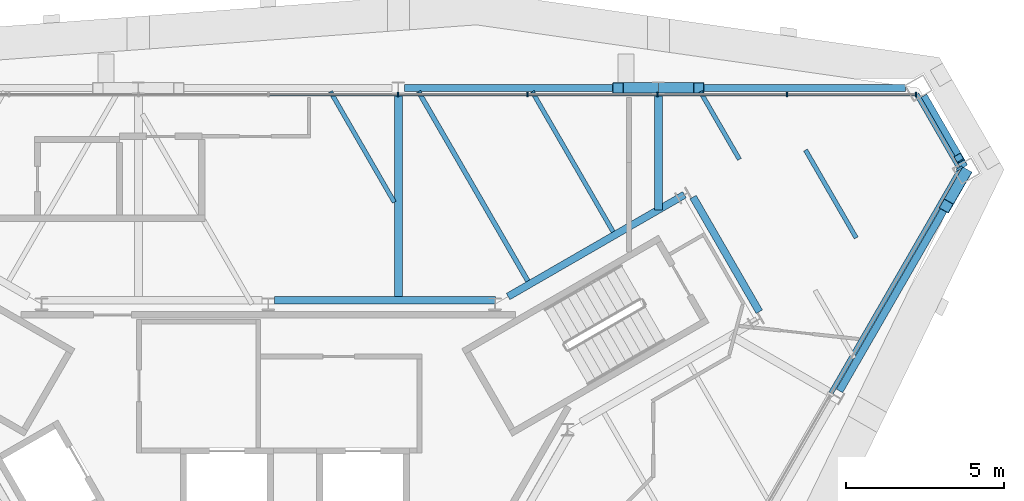
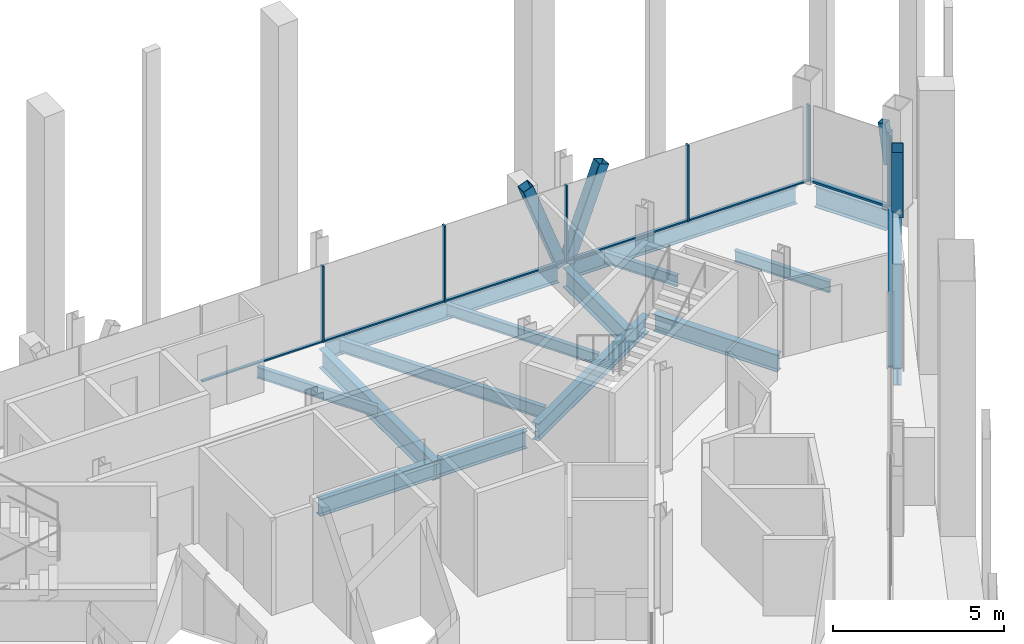
# One storey, part 6 of 12: 17 members, 14 beams, 3 elements without a shape of their own.
"""IFC4 building model written with IfcOpenShell, lengths in metres."""

from ifc_helpers import new_model, si_unit, direction, frame, origin, origin_2d, place, context, subcontext, project, spatial, rectangle, hollow_rectangle, i_section, extrude, material, material_profile, profile_set, type_object, element, aggregate, save


model = new_model("IFC4")

# Units and contexts
model_context = context("Model", 3, precision=1e-05, world=origin(), true_north=direction((0.0, 1.0)))
body_context = subcontext(model_context, "Body", "Model", "MODEL_VIEW")
ifc_project = project(units=[si_unit("LENGTHUNIT", "METRE"), si_unit("AREAUNIT", "SQUARE_METRE"), si_unit("VOLUMEUNIT", "CUBIC_METRE"), si_unit("PLANEANGLEUNIT", "RADIAN"), si_unit("MASSUNIT", "GRAM", prefix="KILO")], contexts=[model_context])

# Site, building, storey
site_placement = place(None, origin())
site = spatial("IfcSite", under=ifc_project, at=site_placement, CompositionType="ELEMENT")
building_placement = place(site_placement, origin())
building = spatial("IfcBuilding", under=site, at=building_placement, Name="Verrane Prism Tower", CompositionType="ELEMENT")
storey_placement = place(building_placement, frame((0.0, 0.0, 264.0)))
storey = spatial("IfcBuildingStorey", under=building, at=storey_placement, Name="L66", CompositionType="ELEMENT", Elevation=264.0)

# Member
ifc_material_1 = material(Name="Steel A500 Grade C", Category="steel")
ifc_material_profile_1 = material_profile(ifc_material_1, hollow_rectangle(XDim=0.25390625, YDim=0.25390625, WallThickness=0.009521484375, InnerFilletRadius=0.0048828125, OuterFilletRadius=0.014404296875, at=origin_2d()), Name="HSS10x10x3/8")
ifc_profile_set_1 = profile_set([ifc_material_profile_1], Name="Steel A500 Grade C")
member_type_1 = type_object("IfcMemberType", Name="Chamfer brace HSS10x10x3/8", PredefinedType="BRACE", material=ifc_profile_set_1)
member_1_placement = place(storey_placement, frame((21.98486328125, 11.25390625, 1.434814453125), z_axis=(-0.067798771595, 0.117337524906, 0.990775066208), x_axis=(-0.865853063258, -0.500298383813, 0.0)))
element("IfcMember", 1, at=member_1_placement, inside=storey, type_object=member_type_1, Name="Chamfer brace NE0 L66", PredefinedType="BRACE", context=body_context, shape_type="SweptSolid", body=[
    extrude(hollow_rectangle(XDim=0.25390625, YDim=0.25390625, WallThickness=0.009521484375, InnerFilletRadius=0.0048828125, OuterFilletRadius=0.014404296875, at=origin_2d()), origin(), (0.0, 0.0, 1.0), 1.444091796875),
])

# Beams
ifc_material_2 = material(Name="Steel A992", Category="steel")
ifc_material_profile_2 = material_profile(ifc_material_2, i_section(OverallWidth=0.2666015625, OverallDepth=0.7568359375, WebThickness=0.013916015625, FlangeThickness=0.019287109375, FilletRadius=0.0166015625, at=origin_2d()), Name="W30x108")
ifc_profile_set_2 = profile_set([ifc_material_profile_2], Name="Steel A992")
beam_type_1 = type_object("IfcBeamType", Name="Chamfer spandrel beam W30x108", PredefinedType="SPANDREL", material=ifc_profile_set_2)
beam_1_placement = place(storey_placement, frame((21.969970703125, 11.27978515625, -0.53857421875), z_axis=(-0.500436097356, 0.865773476415, 0.0), x_axis=(-0.865773476415, -0.500436097356, 0.0)))
element("IfcBeam", 2, at=beam_1_placement, inside=storey, type_object=beam_type_1, Name="Chamfer spandrel beam L66", PredefinedType="SPANDREL", context=body_context, shape_type="SweptSolid", body=[
    extrude(i_section(OverallWidth=0.2666015625, OverallDepth=0.7568359375, WebThickness=0.013916015625, FlangeThickness=0.019287109375, FilletRadius=0.0166015625, at=origin_2d()), origin(), (0.0, 0.0, 1.0), 2.437744140625),
])
ifc_material_3 = material(Name="Steel A992", Category="steel")
ifc_material_profile_3 = material_profile(ifc_material_3, i_section(OverallWidth=0.23046875, OverallDepth=0.6171875, WebThickness=0.01318359375, FlangeThickness=0.022216796875, FilletRadius=0.012939453125, at=origin_2d()), Name="W24x94")
ifc_profile_set_3 = profile_set([ifc_material_profile_3], Name="Steel A992")
beam_type_2 = type_object("IfcBeamType", Name="Core ring girder W24x94", PredefinedType="BEAM", material=ifc_profile_set_3)
beam_2_placement = place(storey_placement, frame((15.558349609375, 6.559814453125, -0.55859375), z_axis=(-0.500375511519, 0.865808493532, 0.0), x_axis=(-0.865808493532, -0.500375511519, 0.0)))
element("IfcBeam", 3, at=beam_2_placement, inside=storey, type_object=beam_type_2, Name="Core ring girder L66", PredefinedType="BEAM", context=body_context, shape_type="SweptSolid", body=[
    extrude(i_section(OverallWidth=0.23046875, OverallDepth=0.6171875, WebThickness=0.01318359375, FlangeThickness=0.022216796875, FilletRadius=0.012939453125, at=origin_2d()), origin(), (0.0, 0.0, 1.0), 4.195556640625),
])
beam_3_placement = place(storey_placement, frame((13.18603515625, 10.2666015625, -0.55859375), z_axis=(-0.866080992722, -0.499903704773, 0.0), x_axis=(0.499903704773, -0.866080992722, 0.0)))
element("IfcBeam", 4, at=beam_3_placement, inside=storey, type_object=beam_type_2, Name="Core ring girder L66", PredefinedType="BEAM", context=body_context, shape_type="SweptSolid", body=[
    extrude(i_section(OverallWidth=0.23046875, OverallDepth=0.6171875, WebThickness=0.01318359375, FlangeThickness=0.022216796875, FilletRadius=0.012939453125, at=origin_2d()), origin(), (0.0, 0.0, 1.0), 6.451904296875),
])
beam_4_placement = place(storey_placement, frame((7.199462890625, 6.92626953125, -0.55859375), z_axis=(-1.0, 0.0, 0.0), x_axis=(0.0, -1.0, 0.0)))
element("IfcBeam", 5, at=beam_4_placement, inside=storey, type_object=beam_type_2, Name="Core ring girder L66", PredefinedType="BEAM", context=body_context, shape_type="SweptSolid", body=[
    extrude(i_section(OverallWidth=0.23046875, OverallDepth=0.6171875, WebThickness=0.01318359375, FlangeThickness=0.022216796875, FilletRadius=0.012939453125, at=origin_2d()), origin(), (0.0, 0.0, 1.0), 7.0),
])

# Members
ifc_material_4 = material(Name="Steel A500 Grade C", Category="steel")
ifc_material_profile_4 = material_profile(ifc_material_4, hollow_rectangle(XDim=0.355712890625, YDim=0.355712890625, WallThickness=0.0126953125, InnerFilletRadius=0.00634765625, OuterFilletRadius=0.01904296875, at=origin_2d()), Name="HSS14x14x1/2")
ifc_profile_set_4 = profile_set([ifc_material_profile_4], Name="Steel A500 Grade C")
member_type_2 = type_object("IfcMemberType", Name="Facade brace HSS14x14x1/2", PredefinedType="BRACE", material=ifc_profile_set_4)
for number, where, z_axis, x_axis, name in (
    (6, (12.47021484375, 13.64990234375, -0.171630859375), (0.34799321157, 0.0, 0.937497053169), (0.0, 1.0, 0.0), "Facade brace N0 L66"),
    (7, (12.249755859375, 13.64990234375, -0.171630859375), (-0.34799321157, 0.0, 0.937497053169), (0.0, -1.0, 0.0), "Facade brace N1 L66"),
    (8, (22.06494140625, 10.924560546875, -0.171630859375), (-0.174020878561, -0.301558717773, 0.937432170111), (0.866130014302, -0.499818765479, 0.0), "Facade brace SE4 L66"),
):
    element("IfcMember", number, at=place(storey_placement, frame(where, z_axis=z_axis, x_axis=x_axis)), inside=storey, type_object=member_type_2, Name=name, PredefinedType="BRACE", context=body_context, shape_type="SweptSolid", body=[
        extrude(hollow_rectangle(XDim=0.355712890625, YDim=0.355712890625, WallThickness=0.0126953125, InnerFilletRadius=0.00634765625, OuterFilletRadius=0.01904296875, at=origin_2d()), origin(), (0.0, 0.0, 1.0), 3.361328125),
    ])

# Beams
ifc_material_5 = material(Name="Steel A992", Category="steel")
ifc_material_profile_5 = material_profile(ifc_material_5, i_section(OverallWidth=0.140380859375, OverallDepth=0.40380859375, WebThickness=0.007080078125, FlangeThickness=0.01123046875, FilletRadius=0.01025390625, at=origin_2d()), Name="W16x31")
ifc_profile_set_5 = profile_set([ifc_material_profile_5], Name="Steel A992")
beam_type_3 = type_object("IfcBeamType", Name="Floor beam W16x31", PredefinedType="BEAM", material=ifc_profile_set_5)
beam_5_placement = place(storey_placement, frame((14.927490234375, 11.386962890625, -0.36181640625), z_axis=(-0.500034869029, 0.866005271205, 0.0), x_axis=(-0.866005271205, -0.500034869029, 0.0)))
element("IfcBeam", 9, at=beam_5_placement, inside=storey, type_object=beam_type_3, Name="Floor beam L66", PredefinedType="BEAM", context=body_context, shape_type="SweptSolid", body=[
    extrude(i_section(OverallWidth=0.140380859375, OverallDepth=0.40380859375, WebThickness=0.007080078125, FlangeThickness=0.01123046875, FilletRadius=0.01025390625, at=origin_2d()), origin(), (0.0, 0.0, 1.0), 2.480224609375),
])
beam_6_placement = place(storey_placement, frame((10.925048828125, 9.094482421875, -0.36181640625), z_axis=(-0.500005474671, 0.866022242959, 0.0), x_axis=(-0.866022242959, -0.500005474671, 0.0)))
element("IfcBeam", 10, at=beam_6_placement, inside=storey, type_object=beam_type_3, Name="Floor beam L66", PredefinedType="BEAM", context=body_context, shape_type="SweptSolid", body=[
    extrude(i_section(OverallWidth=0.140380859375, OverallDepth=0.40380859375, WebThickness=0.007080078125, FlangeThickness=0.01123046875, FilletRadius=0.01025390625, at=origin_2d()), origin(), (0.0, 0.0, 1.0), 5.12744140625),
])
beam_7_placement = place(storey_placement, frame((3.992919921875, 10.029296875, -0.36181640625), z_axis=(-0.499992196334, 0.866029909186, 0.0), x_axis=(-0.866029909186, -0.499992196334, 0.0)))
element("IfcBeam", 11, at=beam_7_placement, inside=storey, type_object=beam_type_3, Name="Floor beam L66", PredefinedType="BEAM", context=body_context, shape_type="SweptSolid", body=[
    extrude(i_section(OverallWidth=0.140380859375, OverallDepth=0.40380859375, WebThickness=0.007080078125, FlangeThickness=0.01123046875, FilletRadius=0.01025390625, at=origin_2d()), origin(), (0.0, 0.0, 1.0), 4.0478515625),
])
beam_8_placement = place(storey_placement, frame((18.628662109375, 8.900390625, -0.36181640625), z_axis=(-0.500027048631, 0.866009786687, 0.0), x_axis=(-0.866009786687, -0.500027048631, 0.0)))
element("IfcBeam", 12, at=beam_8_placement, inside=storey, type_object=beam_type_3, Name="Floor beam L66", PredefinedType="BEAM", context=body_context, shape_type="SweptSolid", body=[
    extrude(i_section(OverallWidth=0.140380859375, OverallDepth=0.40380859375, WebThickness=0.007080078125, FlangeThickness=0.01123046875, FilletRadius=0.01025390625, at=origin_2d()), origin(), (0.0, 0.0, 1.0), 3.214599609375),
])
ifc_material_6 = material(Name="Steel A992", Category="steel")
ifc_material_profile_6 = material_profile(ifc_material_6, i_section(OverallWidth=0.15234375, OverallDepth=0.449462890625, WebThickness=0.007568359375, FlangeThickness=0.0107421875, FilletRadius=0.01025390625, at=origin_2d()), Name="W18x35")
ifc_profile_set_6 = profile_set([ifc_material_profile_6], Name="Steel A992")
beam_type_4 = type_object("IfcBeamType", Name="Floor beam W18x35", PredefinedType="BEAM", material=ifc_profile_set_6)
beam_9_placement = place(storey_placement, frame((8.22265625, 7.53466796875, -0.384765625), z_axis=(-0.500012221024, 0.866018347858, 0.0), x_axis=(-0.866018347858, -0.500012221024, 0.0)))
element("IfcBeam", 13, at=beam_9_placement, inside=storey, type_object=beam_type_4, Name="Floor beam L66", PredefinedType="BEAM", context=body_context, shape_type="SweptSolid", body=[
    extrude(i_section(OverallWidth=0.15234375, OverallDepth=0.449462890625, WebThickness=0.007568359375, FlangeThickness=0.0107421875, FilletRadius=0.01025390625, at=origin_2d()), origin(), (0.0, 0.0, 1.0), 6.928466796875),
])

# Curtain wall, members
ifc_material_7 = material(Name="Aluminium framed insulated glazing", Category="aluminium")
curtain_wall_type_1 = type_object("IfcCurtainWallType", Name="Curtain wall CW-C 4200 module", PredefinedType="NOTDEFINED", material=ifc_material_7)
curtain_wall_1_placement = place(storey_placement, origin())
curtain_wall_1 = element("IfcCurtainWall", 14, at=curtain_wall_1_placement, inside=storey, type_object=curtain_wall_type_1, Name="Glazed curtain wall north face L66", PredefinedType="NOTDEFINED")
ifc_material_8 = material(Name="Aluminium alloy 6063-T6", Category="aluminium")
ifc_material_profile_7 = material_profile(ifc_material_8, rectangle(XDim=0.139892578125, YDim=0.050048828125, at=origin_2d()), Name="Mullion 50x140 aluminium")
ifc_profile_set_7 = profile_set([ifc_material_profile_7], Name="Aluminium alloy 6063-T6")
member_type_3 = type_object("IfcMemberType", Name="Mullion 50x140 aluminium", PredefinedType="MULLION", material=ifc_profile_set_7)
member_2_placement = place(storey_placement, frame((20.52099609375, 13.447265625, 0.0), z_axis=(0.0, 0.0, 1.0), x_axis=(0.0, -1.0, 0.0)))
member_2 = element("IfcMember", 15, at=member_2_placement, type_object=member_type_3, Name="CW66.2 mullion 1", PredefinedType="MULLION", context=body_context, shape_type="SweptSolid", body=[
    extrude(rectangle(XDim=0.139892578125, YDim=0.050048828125, at=origin_2d()), origin(), (0.0, 0.0, 1.0), 2.72314453125),
])
member_3_placement = place(storey_placement, frame((16.436767578125, 13.447265625, 0.0), z_axis=(0.0, 0.0, 1.0), x_axis=(0.0, -1.0, 0.0)))
member_3 = element("IfcMember", 16, at=member_3_placement, type_object=member_type_3, Name="CW66.2 mullion 2", PredefinedType="MULLION", context=body_context, shape_type="SweptSolid", body=[
    extrude(rectangle(XDim=0.139892578125, YDim=0.050048828125, at=origin_2d()), origin(), (0.0, 0.0, 1.0), 2.72314453125),
])
member_4_placement = place(storey_placement, frame((12.32763671875, 13.447265625, 0.0), z_axis=(0.0, 0.0, 1.0), x_axis=(0.0, -1.0, 0.0)))
member_4 = element("IfcMember", 17, at=member_4_placement, type_object=member_type_3, Name="CW66.2 mullion 3", PredefinedType="MULLION", context=body_context, shape_type="SweptSolid", body=[
    extrude(rectangle(XDim=0.139892578125, YDim=0.050048828125, at=origin_2d()), origin(), (0.0, 0.0, 1.0), 2.72314453125),
])
member_5_placement = place(storey_placement, frame((8.218505859375, 13.447265625, 0.0), z_axis=(0.0, 0.0, 1.0), x_axis=(0.0, -1.0, 0.0)))
member_5 = element("IfcMember", 18, at=member_5_placement, type_object=member_type_3, Name="CW66.2 mullion 4", PredefinedType="MULLION", context=body_context, shape_type="SweptSolid", body=[
    extrude(rectangle(XDim=0.139892578125, YDim=0.050048828125, at=origin_2d()), origin(), (0.0, 0.0, 1.0), 2.72314453125),
])
member_6_placement = place(storey_placement, frame((4.109130859375, 13.447265625, 0.0), z_axis=(0.0, 0.0, 1.0), x_axis=(0.0, -1.0, 0.0)))
member_6 = element("IfcMember", 19, at=member_6_placement, type_object=member_type_3, Name="CW66.2 mullion 5", PredefinedType="MULLION", context=body_context, shape_type="SweptSolid", body=[
    extrude(rectangle(XDim=0.139892578125, YDim=0.050048828125, at=origin_2d()), origin(), (0.0, 0.0, 1.0), 2.72314453125),
])

# Curtain wall, member
ifc_material_9 = material(Name="Aluminium framed insulated glazing", Category="aluminium")
curtain_wall_type_2 = type_object("IfcCurtainWallType", Name="Curtain wall CW-A 8400 module", PredefinedType="NOTDEFINED", material=ifc_material_9)
curtain_wall_2_placement = place(storey_placement, origin())
curtain_wall_2 = element("IfcCurtainWall", 20, at=curtain_wall_2_placement, inside=storey, type_object=curtain_wall_type_2, Name="Glazed curtain wall north-east corner L66", PredefinedType="NOTDEFINED")
ifc_material_10 = material(Name="Aluminium alloy 6063-T6", Category="aluminium")
ifc_material_profile_8 = material_profile(ifc_material_10, rectangle(XDim=0.199951171875, YDim=0.070068359375, at=origin_2d()), Name="Mullion 70x200 aluminium")
ifc_profile_set_8 = profile_set([ifc_material_profile_8], Name="Aluminium alloy 6063-T6")
member_type_4 = type_object("IfcMemberType", Name="Mullion 70x200 aluminium", PredefinedType="MULLION", material=ifc_profile_set_8)
member_7_placement = place(storey_placement, frame((21.901123046875, 11.10009765625, 0.0), z_axis=(0.0, 0.0, 1.0), x_axis=(-0.866024225493, -0.500002040855, 0.0)))
member_7 = element("IfcMember", 21, at=member_7_placement, type_object=member_type_4, Name="CW66.1 mullion 1", PredefinedType="MULLION", context=body_context, shape_type="SweptSolid", body=[
    extrude(rectangle(XDim=0.199951171875, YDim=0.070068359375, at=origin_2d()), origin(), (0.0, 0.0, 1.0), 2.72314453125),
])

# Beams
ifc_material_11 = material(Name="Steel A992", Category="steel")
ifc_material_profile_9 = material_profile(ifc_material_11, i_section(OverallWidth=0.25390625, OverallDepth=0.683349609375, WebThickness=0.012451171875, FlangeThickness=0.01904296875, FilletRadius=0.01513671875, at=origin_2d()), Name="W27x94")
ifc_profile_set_9 = profile_set([ifc_material_profile_9], Name="Steel A992")
beam_type_5 = type_object("IfcBeamType", Name="Radial girder W27x94", PredefinedType="BEAM", material=ifc_profile_set_9)
beam_10_placement = place(storey_placement, frame((12.360107421875, 13.4619140625, -0.5615234375), z_axis=(0.0, -1.0, 0.0), x_axis=(1.0, 0.0, 0.0)))
element("IfcBeam", 22, at=beam_10_placement, inside=storey, type_object=beam_type_5, Name="Radial girder L66", PredefinedType="BEAM", context=body_context, shape_type="SweptSolid", body=[
    extrude(i_section(OverallWidth=0.25390625, OverallDepth=0.683349609375, WebThickness=0.012451171875, FlangeThickness=0.01904296875, FilletRadius=0.01513671875, at=origin_2d()), origin(), (0.0, 0.0, 1.0), 3.672119140625),
])
beam_11_placement = place(storey_placement, frame((4.1201171875, 13.4619140625, -0.5615234375), z_axis=(0.0, -1.0, 0.0), x_axis=(1.0, 0.0, 0.0)))
element("IfcBeam", 23, at=beam_11_placement, inside=storey, type_object=beam_type_5, Name="Radial girder L66", PredefinedType="BEAM", context=body_context, shape_type="SweptSolid", body=[
    extrude(i_section(OverallWidth=0.25390625, OverallDepth=0.683349609375, WebThickness=0.012451171875, FlangeThickness=0.01904296875, FilletRadius=0.01513671875, at=origin_2d()), origin(), (0.0, 0.0, 1.0), 6.661865234375),
])
ifc_material_12 = material(Name="Steel A992", Category="steel")
ifc_material_profile_10 = material_profile(ifc_material_12, i_section(OverallWidth=0.23046875, OverallDepth=0.6171875, WebThickness=0.01318359375, FlangeThickness=0.022216796875, FilletRadius=0.012939453125, at=origin_2d()), Name="W24x94")
ifc_profile_set_10 = profile_set([ifc_material_profile_10], Name="Steel A992")
beam_type_6 = type_object("IfcBeamType", Name="Spandrel beam W24x94", PredefinedType="SPANDREL", material=ifc_profile_set_10)
beam_12_placement = place(storey_placement, frame((20.19580078125, 13.64990234375, -0.468505859375), z_axis=(-1.0, 0.0, 0.0), x_axis=(0.0, -1.0, 0.0)))
element("IfcBeam", 24, at=beam_12_placement, inside=storey, type_object=beam_type_6, Name="Spandrel beam L66", PredefinedType="SPANDREL", context=body_context, shape_type="SweptSolid", body=[
    extrude(i_section(OverallWidth=0.23046875, OverallDepth=0.6171875, WebThickness=0.01318359375, FlangeThickness=0.022216796875, FilletRadius=0.012939453125, at=origin_2d()), origin(), (0.0, 0.0, 1.0), 7.638916015625),
])
beam_13_placement = place(storey_placement, frame((12.1630859375, 13.64990234375, -0.468505859375), z_axis=(-1.0, 0.0, 0.0), x_axis=(0.0, -1.0, 0.0)))
element("IfcBeam", 25, at=beam_13_placement, inside=storey, type_object=beam_type_6, Name="Spandrel beam L66", PredefinedType="SPANDREL", context=body_context, shape_type="SweptSolid", body=[
    extrude(i_section(OverallWidth=0.23046875, OverallDepth=0.6171875, WebThickness=0.01318359375, FlangeThickness=0.022216796875, FilletRadius=0.012939453125, at=origin_2d()), origin(), (0.0, 0.0, 1.0), 7.84619140625),
])
beam_14_placement = place(storey_placement, frame((18.098388671875, 4.050537109375, -0.468505859375), z_axis=(0.499791590914, 0.866145695395, 0.0), x_axis=(-0.866145695395, 0.499791590914, 0.0)))
element("IfcBeam", 26, at=beam_14_placement, inside=storey, type_object=beam_type_6, Name="Spandrel beam L66", PredefinedType="SPANDREL", context=body_context, shape_type="SweptSolid", body=[
    extrude(i_section(OverallWidth=0.23046875, OverallDepth=0.6171875, WebThickness=0.01318359375, FlangeThickness=0.022216796875, FilletRadius=0.012939453125, at=origin_2d()), origin(), (0.0, 0.0, 1.0), 7.642333984375),
])

# Member
ifc_material_13 = material(Name="Aluminium alloy 6063-T6", Category="aluminium")
ifc_material_profile_11 = material_profile(ifc_material_13, rectangle(XDim=0.10009765625, YDim=0.050048828125, at=origin_2d()), Name="Transom 50x100 aluminium")
ifc_profile_set_11 = profile_set([ifc_material_profile_11], Name="Aluminium alloy 6063-T6")
member_type_5 = type_object("IfcMemberType", Name="Transom 50x100 aluminium", PredefinedType="USERDEFINED", material=ifc_profile_set_11)
member_8_placement = place(storey_placement, frame((20.49609375, 13.447265625, 0.02490234375), z_axis=(-1.0, 0.0, 0.0), x_axis=(0.0, -1.0, 0.0)))
member_8 = element("IfcMember", 27, at=member_8_placement, type_object=member_type_5, Name="CW66.2 transom 1", ObjectType="TRANSOM", PredefinedType="USERDEFINED", context=body_context, shape_type="SweptSolid", body=[
    extrude(rectangle(XDim=0.10009765625, YDim=0.050048828125, at=origin_2d()), origin(), (0.0, 0.0, 1.0), 4.0341796875),
])

member_9_placement = place(storey_placement, frame((16.411865234375, 13.447265625, 0.02490234375), z_axis=(-1.0, 0.0, 0.0), x_axis=(0.0, -1.0, 0.0)))
member_9 = element("IfcMember", 28, at=member_9_placement, type_object=member_type_5, Name="CW66.2 transom 2", ObjectType="TRANSOM", PredefinedType="USERDEFINED", context=body_context, shape_type="SweptSolid", body=[
    extrude(rectangle(XDim=0.10009765625, YDim=0.050048828125, at=origin_2d()), origin(), (0.0, 0.0, 1.0), 4.059326171875),
])

member_10_placement = place(storey_placement, frame((12.302734375, 13.447265625, 0.02490234375), z_axis=(-1.0, 0.0, 0.0), x_axis=(0.0, -1.0, 0.0)))
member_10 = element("IfcMember", 29, at=member_10_placement, type_object=member_type_5, Name="CW66.2 transom 3", ObjectType="TRANSOM", PredefinedType="USERDEFINED", context=body_context, shape_type="SweptSolid", body=[
    extrude(rectangle(XDim=0.10009765625, YDim=0.050048828125, at=origin_2d()), origin(), (0.0, 0.0, 1.0), 4.059326171875),
])

member_11_placement = place(storey_placement, frame((8.193359375, 13.447265625, 0.02490234375), z_axis=(-1.0, 0.0, 0.0), x_axis=(0.0, -1.0, 0.0)))
member_11 = element("IfcMember", 30, at=member_11_placement, type_object=member_type_5, Name="CW66.2 transom 4", ObjectType="TRANSOM", PredefinedType="USERDEFINED", context=body_context, shape_type="SweptSolid", body=[
    extrude(rectangle(XDim=0.10009765625, YDim=0.050048828125, at=origin_2d()), origin(), (0.0, 0.0, 1.0), 4.05908203125),
])

member_12_placement = place(storey_placement, frame((4.084228515625, 13.447265625, 0.02490234375), z_axis=(-1.0, 0.0, 0.0), x_axis=(0.0, -1.0, 0.0)))
member_12 = element("IfcMember", 31, at=member_12_placement, type_object=member_type_5, Name="CW66.2 transom 5", ObjectType="TRANSOM", PredefinedType="USERDEFINED", context=body_context, shape_type="SweptSolid", body=[
    extrude(rectangle(XDim=0.10009765625, YDim=0.050048828125, at=origin_2d()), origin(), (0.0, 0.0, 1.0), 4.059326171875),
])

aggregate(curtain_wall_1, [member_2, member_3, member_4, member_5, member_6, member_8, member_9, member_10, member_11, member_12])

ifc_material_14 = material(Name="Aluminium alloy 6063-T6", Category="aluminium")
ifc_material_profile_12 = material_profile(ifc_material_14, rectangle(XDim=0.14990234375, YDim=0.070068359375, at=origin_2d()), Name="Transom 70x150 aluminium")
ifc_profile_set_12 = profile_set([ifc_material_profile_12], Name="Aluminium alloy 6063-T6")
member_type_6 = type_object("IfcMemberType", Name="Transom 70x150 aluminium", PredefinedType="USERDEFINED", material=ifc_profile_set_12)
member_13_placement = place(storey_placement, frame((21.8837890625, 11.13037109375, 0.034912109375), z_axis=(-0.499996300355, 0.866027539765, 0.0), x_axis=(-0.866027539765, -0.499996300355, 0.0)))
member_13 = element("IfcMember", 32, at=member_13_placement, type_object=member_type_6, Name="CW66.1 transom 1", ObjectType="TRANSOM", PredefinedType="USERDEFINED", context=body_context, shape_type="SweptSolid", body=[
    extrude(rectangle(XDim=0.14990234375, YDim=0.070068359375, at=origin_2d()), origin(), (0.0, 0.0, 1.0), 2.67529296875),
])

aggregate(curtain_wall_2, [member_7, member_13])

# Curtain wall, member
curtain_wall_3_placement = place(storey_placement, origin())
curtain_wall_3 = element("IfcCurtainWall", 33, at=curtain_wall_3_placement, inside=storey, type_object=curtain_wall_type_2, Name="Glazed curtain wall south-east face L66", PredefinedType="NOTDEFINED")
member_14_placement = place(storey_placement, frame((17.826904296875, 3.982666015625, 0.034912109375), z_axis=(0.500002215902, 0.866024124429, 0.0), x_axis=(-0.866024124429, 0.500002215902, 0.0)))
member_14 = element("IfcMember", 34, at=member_14_placement, type_object=member_type_6, Name="CW66.6 transom 5", ObjectType="TRANSOM", PredefinedType="USERDEFINED", context=body_context, shape_type="SweptSolid", body=[
    extrude(rectangle(XDim=0.14990234375, YDim=0.070068359375, at=origin_2d()), origin(), (0.0, 0.0, 1.0), 8.18359375),
])
aggregate(curtain_wall_3, [member_14])

save(model, "model.ifc")
